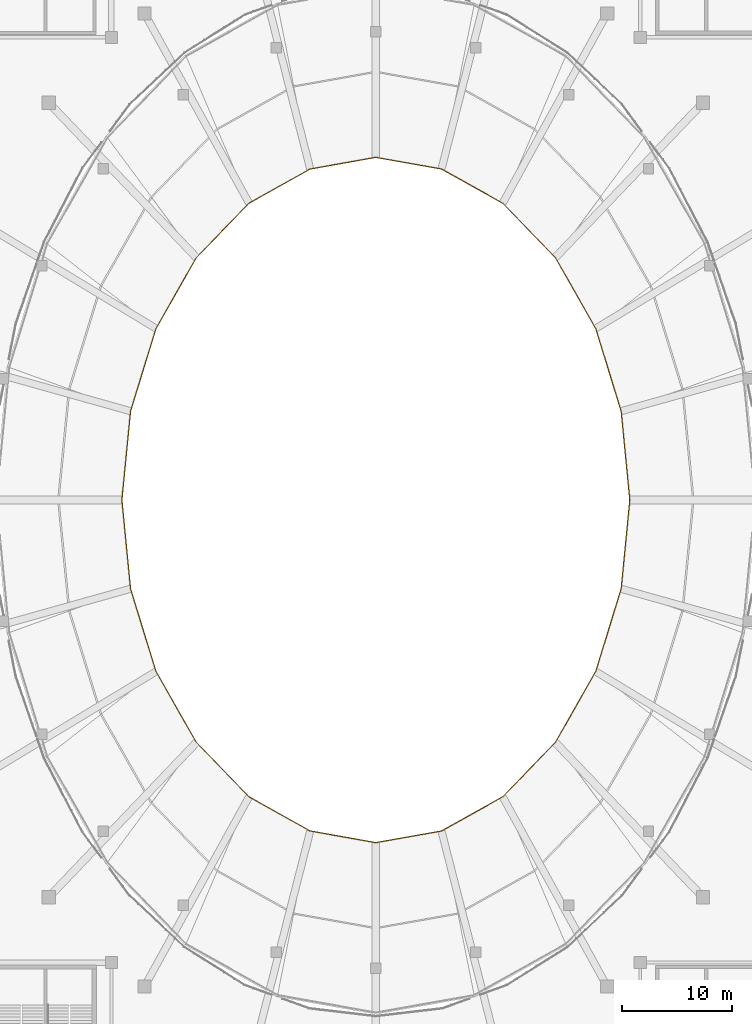
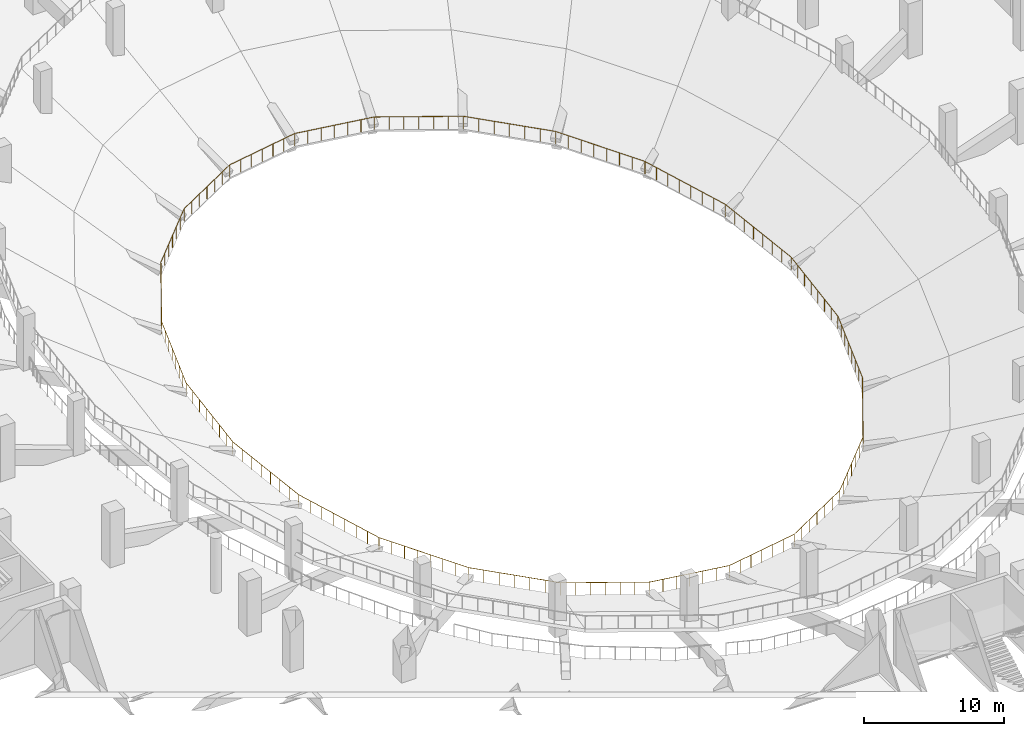
# One storey, part 126 of 136: 1 railing.
"""IFC4 building model written with IfcOpenShell, lengths in metres."""

from ifc_helpers import new_model, si_unit, direction, frame, origin, origin_2d, place, context, subcontext, project, spatial, circle, extrude, material, type_object, element, save


model = new_model("IFC4")

# Units and contexts
model_context = context("Model", 3, precision=1e-05, world=origin(), true_north=direction((0.0, 1.0)))
body_context = subcontext(model_context, "Body", "Model", "MODEL_VIEW")
ifc_project = project(units=[si_unit("LENGTHUNIT", "METRE"), si_unit("AREAUNIT", "SQUARE_METRE"), si_unit("VOLUMEUNIT", "CUBIC_METRE"), si_unit("PLANEANGLEUNIT", "RADIAN"), si_unit("MASSUNIT", "GRAM", prefix="KILO")], contexts=[model_context])

# Site, building, storey
site_placement = place(None, origin())
site = spatial("IfcSite", under=ifc_project, at=site_placement, CompositionType="ELEMENT")
building_placement = place(site_placement, origin())
building = spatial("IfcBuilding", under=site, at=building_placement, Name="Brinegate Civic Arena", CompositionType="ELEMENT")
storey_placement = place(building_placement, frame((0.0, 0.0, 5.39990234375)))
storey = spatial("IfcBuildingStorey", under=building, at=storey_placement, Name="L01", CompositionType="ELEMENT", Elevation=5.39990234375)

# Railing
ifc_material = material(Name="Architectural stainless steel balustrade", Category="steel")
railing_type = type_object("IfcRailingType", Name="RAIL-BOWL-BARRIER-1100", PredefinedType="GUARDRAIL", material=ifc_material)
railing_placement = place(storey_placement, frame((131.050048828125, 62.0, -4.7998046875)))
element("IfcRailing", 1, at=railing_placement, inside=storey, type_object=railing_type, Name="Arena Bowl Sightline Guard LWR-FRONT", PredefinedType="GUARDRAIL", context=body_context, shape_type="SweptSolid", body=[
    extrude(circle(Radius=0.02392578125, at=origin_2d()), frame((-0.000244140625, 0.00146484375, 1.09619140625), z_axis=(-0.097085377147, 0.995276056953, 0.0), x_axis=(-0.995276056953, -0.097085377147, 0.0)), (0.0, 0.0, 1.0), 8.084228515625),
    extrude(circle(Radius=0.02392578125, at=origin_2d()), frame((-0.78564453125, 8.050537109375, 1.09619140625), z_axis=(-0.293502020792, 0.955958452963, 0.0), x_axis=(-0.955958452963, -0.293502020792, 0.0)), (0.0, 0.0, 1.0), 7.843505859375),
    extrude(circle(Radius=0.02392578125, at=origin_2d()), frame((-3.0888671875, 15.55126953125, 1.09619140625), z_axis=(-0.494338839738, 0.869269297472, 0.0), x_axis=(-0.869269297472, -0.494338839738, 0.0)), (0.0, 0.0, 1.0), 7.406494140625),
    extrude(circle(Radius=0.02392578125, at=origin_2d()), frame((-6.751953125, 21.991943359375, 1.09619140625), z_axis=(-0.694779003648, 0.719223286671, 0.0), x_axis=(-0.719223286671, -0.694779003648, 0.0)), (0.0, 0.0, 1.0), 6.868408203125),
    extrude(circle(Radius=0.02392578125, at=origin_2d()), frame((-11.5263671875, 26.933837890625, 1.09619140625), z_axis=(-0.872908427657, 0.487884081443, 0.0), x_axis=(-0.487884081443, -0.872908427657, 0.0)), (0.0, 0.0, 1.0), 6.365234375),
    extrude(circle(Radius=0.02392578125, at=origin_2d()), frame((-17.08544921875, 30.040283203125, 1.09619140625), z_axis=(-0.984578858845, 0.17494133507, 0.0), x_axis=(-0.17494133507, -0.984578858845, 0.0)), (0.0, 0.0, 1.0), 6.056396484375),
    extrude(circle(Radius=0.02392578125, at=origin_2d()), frame((-23.051513671875, 31.099853515625, 1.09619140625), z_axis=(-0.984578858845, -0.17494133507, 0.0), x_axis=(0.17494133507, -0.984578858845, 0.0)), (0.0, 0.0, 1.0), 6.056396484375),
    extrude(circle(Radius=0.02392578125, at=origin_2d()), frame((-29.017333984375, 30.039306640625, 1.09619140625), z_axis=(-0.872908427657, -0.487884081443, 0.0), x_axis=(0.487884081443, -0.872908427657, 0.0)), (0.0, 0.0, 1.0), 6.365234375),
    extrude(circle(Radius=0.02392578125, at=origin_2d()), frame((-34.575927734375, 26.93212890625, 1.09619140625), z_axis=(-0.694779003648, -0.719223286671, 0.0), x_axis=(0.719223286671, -0.694779003648, 0.0)), (0.0, 0.0, 1.0), 6.868408203125),
    extrude(circle(Radius=0.02392578125, at=origin_2d()), frame((-39.349853515625, 21.98974609375, 1.09619140625), z_axis=(-0.494338839738, -0.869269297472, 0.0), x_axis=(0.869269297472, -0.494338839738, 0.0)), (0.0, 0.0, 1.0), 7.406494140625),
    extrude(circle(Radius=0.02392578125, at=origin_2d()), frame((-43.012451171875, 15.548583984375, 1.09619140625), z_axis=(-0.293502020792, -0.955958452963, 0.0), x_axis=(0.955958452963, -0.293502020792, 0.0)), (0.0, 0.0, 1.0), 7.843505859375),
    extrude(circle(Radius=0.02392578125, at=origin_2d()), frame((-45.315185546875, 8.047607421875, 1.09619140625), z_axis=(-0.097085377147, -0.995276056953, 0.0), x_axis=(0.995276056953, -0.097085377147, 0.0)), (0.0, 0.0, 1.0), 8.084228515625),
    extrude(circle(Radius=0.02392578125, at=origin_2d()), frame((-46.099853515625, -0.00146484375, 1.09619140625), z_axis=(0.097085377147, -0.995276056953, 0.0), x_axis=(0.995276056953, 0.097085377147, 0.0)), (0.0, 0.0, 1.0), 8.084228515625),
    extrude(circle(Radius=0.02392578125, at=origin_2d()), frame((-45.314453125, -8.050537109375, 1.09619140625), z_axis=(0.293502020792, -0.955958452963, 0.0), x_axis=(0.955958452963, 0.293502020792, 0.0)), (0.0, 0.0, 1.0), 7.843505859375),
    extrude(circle(Radius=0.02392578125, at=origin_2d()), frame((-43.01123046875, -15.55126953125, 1.09619140625), z_axis=(0.494338839738, -0.869269297472, 0.0), x_axis=(0.869269297472, 0.494338839738, 0.0)), (0.0, 0.0, 1.0), 7.406494140625),
    extrude(circle(Radius=0.02392578125, at=origin_2d()), frame((-39.34814453125, -21.991943359375, 1.09619140625), z_axis=(0.694779003648, -0.719223286671, 0.0), x_axis=(0.719223286671, 0.694779003648, 0.0)), (0.0, 0.0, 1.0), 6.868408203125),
    extrude(circle(Radius=0.02392578125, at=origin_2d()), frame((-34.57373046875, -26.933837890625, 1.09619140625), z_axis=(0.872908427657, -0.487884081443, 0.0), x_axis=(0.487884081443, 0.872908427657, 0.0)), (0.0, 0.0, 1.0), 6.365234375),
    extrude(circle(Radius=0.02392578125, at=origin_2d()), frame((-29.0146484375, -30.040283203125, 1.09619140625), z_axis=(0.984578858845, -0.17494133507, 0.0), x_axis=(0.17494133507, 0.984578858845, 0.0)), (0.0, 0.0, 1.0), 6.056396484375),
    extrude(circle(Radius=0.02392578125, at=origin_2d()), frame((-23.048583984375, -31.099853515625, 1.09619140625), z_axis=(0.984578858845, 0.17494133507, 0.0), x_axis=(-0.17494133507, 0.984578858845, 0.0)), (0.0, 0.0, 1.0), 6.056396484375),
    extrude(circle(Radius=0.02392578125, at=origin_2d()), frame((-17.082763671875, -30.039306640625, 1.09619140625), z_axis=(0.872908427657, 0.487884081443, 0.0), x_axis=(-0.487884081443, 0.872908427657, 0.0)), (0.0, 0.0, 1.0), 6.365234375),
    extrude(circle(Radius=0.02392578125, at=origin_2d()), frame((-11.524169921875, -26.93212890625, 1.09619140625), z_axis=(0.694779003648, 0.719223286671, 0.0), x_axis=(-0.719223286671, 0.694779003648, 0.0)), (0.0, 0.0, 1.0), 6.868408203125),
    extrude(circle(Radius=0.02392578125, at=origin_2d()), frame((-6.750244140625, -21.98974609375, 1.09619140625), z_axis=(0.494338839738, 0.869269297472, 0.0), x_axis=(-0.869269297472, 0.494338839738, 0.0)), (0.0, 0.0, 1.0), 7.406494140625),
    extrude(circle(Radius=0.02392578125, at=origin_2d()), frame((-3.087646484375, -15.548583984375, 1.09619140625), z_axis=(0.293502020792, 0.955958452963, 0.0), x_axis=(-0.955958452963, 0.293502020792, 0.0)), (0.0, 0.0, 1.0), 7.843505859375),
    extrude(circle(Radius=0.02392578125, at=origin_2d()), frame((-0.784912109375, -8.047607421875, 1.09619140625), z_axis=(0.097085377147, 0.995276056953, 0.0), x_axis=(-0.995276056953, 0.097085377147, 0.0)), (0.0, 0.0, 1.0), 8.084228515625),
    extrude(circle(Radius=0.02099609375, at=origin_2d()), origin(), (0.0, 0.0, 1.0), 1.070068359375),
    extrude(circle(Radius=0.02099609375, at=origin_2d()), frame((-0.112060546875, 1.14990234375, 0.0)), (0.0, 0.0, 1.0), 1.070068359375),
    extrude(circle(Radius=0.02099609375, at=origin_2d()), frame((-0.224365234375, 2.2998046875, 0.0)), (0.0, 0.0, 1.0), 1.070068359375),
    extrude(circle(Radius=0.02099609375, at=origin_2d()), frame((-0.33642578125, 3.44970703125, 0.0)), (0.0, 0.0, 1.0), 1.070068359375),
    extrude(circle(Radius=0.02099609375, at=origin_2d()), frame((-0.44873046875, 4.599365234375, 0.0)), (0.0, 0.0, 1.0), 1.070068359375),
    extrude(circle(Radius=0.02099609375, at=origin_2d()), frame((-0.560791015625, 5.749267578125, 0.0)), (0.0, 0.0, 1.0), 1.070068359375),
    extrude(circle(Radius=0.02099609375, at=origin_2d()), frame((-0.673095703125, 6.899169921875, 0.0)), (0.0, 0.0, 1.0), 1.070068359375),
    extrude(circle(Radius=0.02099609375, at=origin_2d()), frame((-0.78515625, 8.049072265625, 0.0)), (0.0, 0.0, 1.0), 1.070068359375),
    extrude(circle(Radius=0.02099609375, at=origin_2d()), frame((-1.1142578125, 9.12060546875, 0.0)), (0.0, 0.0, 1.0), 1.070068359375),
    extrude(circle(Radius=0.02099609375, at=origin_2d()), frame((-1.443115234375, 10.192138671875, 0.0)), (0.0, 0.0, 1.0), 1.070068359375),
    extrude(circle(Radius=0.02099609375, at=origin_2d()), frame((-1.772216796875, 11.263671875, 0.0)), (0.0, 0.0, 1.0), 1.070068359375),
    extrude(circle(Radius=0.02099609375, at=origin_2d()), frame((-2.10107421875, 12.33544921875, 0.0)), (0.0, 0.0, 1.0), 1.070068359375),
    extrude(circle(Radius=0.02099609375, at=origin_2d()), frame((-2.43017578125, 13.406982421875, 0.0)), (0.0, 0.0, 1.0), 1.070068359375),
    extrude(circle(Radius=0.02099609375, at=origin_2d()), frame((-2.759033203125, 14.478515625, 0.0)), (0.0, 0.0, 1.0), 1.070068359375),
    extrude(circle(Radius=0.02099609375, at=origin_2d()), frame((-3.088134765625, 15.550048828125, 0.0)), (0.0, 0.0, 1.0), 1.070068359375),
    extrude(circle(Radius=0.02099609375, at=origin_2d()), frame((-3.611328125, 16.47021484375, 0.0)), (0.0, 0.0, 1.0), 1.070068359375),
    extrude(circle(Radius=0.02099609375, at=origin_2d()), frame((-4.134765625, 17.390380859375, 0.0)), (0.0, 0.0, 1.0), 1.070068359375),
    extrude(circle(Radius=0.02099609375, at=origin_2d()), frame((-4.657958984375, 18.310546875, 0.0)), (0.0, 0.0, 1.0), 1.070068359375),
    extrude(circle(Radius=0.02099609375, at=origin_2d()), frame((-5.18115234375, 19.23046875, 0.0)), (0.0, 0.0, 1.0), 1.070068359375),
    extrude(circle(Radius=0.02099609375, at=origin_2d()), frame((-5.704345703125, 20.150634765625, 0.0)), (0.0, 0.0, 1.0), 1.070068359375),
    extrude(circle(Radius=0.02099609375, at=origin_2d()), frame((-6.227783203125, 21.07080078125, 0.0)), (0.0, 0.0, 1.0), 1.070068359375),
    extrude(circle(Radius=0.02099609375, at=origin_2d()), frame((-6.7509765625, 21.990966796875, 0.0)), (0.0, 0.0, 1.0), 1.070068359375),
    extrude(circle(Radius=0.02099609375, at=origin_2d()), frame((-7.546630859375, 22.814697265625, 0.0)), (0.0, 0.0, 1.0), 1.070068359375),
    extrude(circle(Radius=0.02099609375, at=origin_2d()), frame((-8.34228515625, 23.638427734375, 0.0)), (0.0, 0.0, 1.0), 1.070068359375),
    extrude(circle(Radius=0.02099609375, at=origin_2d()), frame((-9.13818359375, 24.4619140625, 0.0)), (0.0, 0.0, 1.0), 1.070068359375),
    extrude(circle(Radius=0.02099609375, at=origin_2d()), frame((-9.933837890625, 25.28564453125, 0.0)), (0.0, 0.0, 1.0), 1.070068359375),
    extrude(circle(Radius=0.02099609375, at=origin_2d()), frame((-10.7294921875, 26.109375, 0.0)), (0.0, 0.0, 1.0), 1.070068359375),
    extrude(circle(Radius=0.02099609375, at=origin_2d()), frame((-11.525146484375, 26.93310546875, 0.0)), (0.0, 0.0, 1.0), 1.070068359375),
    extrude(circle(Radius=0.02099609375, at=origin_2d()), frame((-12.45166015625, 27.450927734375, 0.0)), (0.0, 0.0, 1.0), 1.070068359375),
    extrude(circle(Radius=0.02099609375, at=origin_2d()), frame((-13.378173828125, 27.96875, 0.0)), (0.0, 0.0, 1.0), 1.070068359375),
    extrude(circle(Radius=0.02099609375, at=origin_2d()), frame((-14.3046875, 28.486572265625, 0.0)), (0.0, 0.0, 1.0), 1.070068359375),
    extrude(circle(Radius=0.02099609375, at=origin_2d()), frame((-15.23095703125, 29.00439453125, 0.0)), (0.0, 0.0, 1.0), 1.070068359375),
    extrude(circle(Radius=0.02099609375, at=origin_2d()), frame((-16.157470703125, 29.522216796875, 0.0)), (0.0, 0.0, 1.0), 1.070068359375),
    extrude(circle(Radius=0.02099609375, at=origin_2d()), frame((-17.083984375, 30.0400390625, 0.0)), (0.0, 0.0, 1.0), 1.070068359375),
    extrude(circle(Radius=0.02099609375, at=origin_2d()), frame((-18.078369140625, 30.216796875, 0.0)), (0.0, 0.0, 1.0), 1.070068359375),
    extrude(circle(Radius=0.02099609375, at=origin_2d()), frame((-19.07275390625, 30.393310546875, 0.0)), (0.0, 0.0, 1.0), 1.070068359375),
    extrude(circle(Radius=0.02099609375, at=origin_2d()), frame((-20.06689453125, 30.570068359375, 0.0)), (0.0, 0.0, 1.0), 1.070068359375),
    extrude(circle(Radius=0.02099609375, at=origin_2d()), frame((-21.061279296875, 30.746826171875, 0.0)), (0.0, 0.0, 1.0), 1.070068359375),
    extrude(circle(Radius=0.02099609375, at=origin_2d()), frame((-22.0556640625, 30.92333984375, 0.0)), (0.0, 0.0, 1.0), 1.070068359375),
    extrude(circle(Radius=0.02099609375, at=origin_2d()), frame((-23.050048828125, 31.10009765625, 0.0)), (0.0, 0.0, 1.0), 1.070068359375),
    extrude(circle(Radius=0.02099609375, at=origin_2d()), frame((-24.04443359375, 30.92333984375, 0.0)), (0.0, 0.0, 1.0), 1.070068359375),
    extrude(circle(Radius=0.02099609375, at=origin_2d()), frame((-25.038818359375, 30.746826171875, 0.0)), (0.0, 0.0, 1.0), 1.070068359375),
    extrude(circle(Radius=0.02099609375, at=origin_2d()), frame((-26.033203125, 30.570068359375, 0.0)), (0.0, 0.0, 1.0), 1.070068359375),
    extrude(circle(Radius=0.02099609375, at=origin_2d()), frame((-27.02734375, 30.393310546875, 0.0)), (0.0, 0.0, 1.0), 1.070068359375),
    extrude(circle(Radius=0.02099609375, at=origin_2d()), frame((-28.021728515625, 30.216796875, 0.0)), (0.0, 0.0, 1.0), 1.070068359375),
    extrude(circle(Radius=0.02099609375, at=origin_2d()), frame((-29.01611328125, 30.0400390625, 0.0)), (0.0, 0.0, 1.0), 1.070068359375),
    extrude(circle(Radius=0.02099609375, at=origin_2d()), frame((-29.942626953125, 29.522216796875, 0.0)), (0.0, 0.0, 1.0), 1.070068359375),
    extrude(circle(Radius=0.02099609375, at=origin_2d()), frame((-30.869140625, 29.00439453125, 0.0)), (0.0, 0.0, 1.0), 1.070068359375),
    extrude(circle(Radius=0.02099609375, at=origin_2d()), frame((-31.79541015625, 28.486572265625, 0.0)), (0.0, 0.0, 1.0), 1.070068359375),
    extrude(circle(Radius=0.02099609375, at=origin_2d()), frame((-32.721923828125, 27.96875, 0.0)), (0.0, 0.0, 1.0), 1.070068359375),
    extrude(circle(Radius=0.02099609375, at=origin_2d()), frame((-33.6484375, 27.450927734375, 0.0)), (0.0, 0.0, 1.0), 1.070068359375),
    extrude(circle(Radius=0.02099609375, at=origin_2d()), frame((-34.574951171875, 26.93310546875, 0.0)), (0.0, 0.0, 1.0), 1.070068359375),
    extrude(circle(Radius=0.02099609375, at=origin_2d()), frame((-35.37060546875, 26.109375, 0.0)), (0.0, 0.0, 1.0), 1.070068359375),
    extrude(circle(Radius=0.02099609375, at=origin_2d()), frame((-36.166259765625, 25.28564453125, 0.0)), (0.0, 0.0, 1.0), 1.070068359375),
    extrude(circle(Radius=0.02099609375, at=origin_2d()), frame((-36.9619140625, 24.4619140625, 0.0)), (0.0, 0.0, 1.0), 1.070068359375),
    extrude(circle(Radius=0.02099609375, at=origin_2d()), frame((-37.7578125, 23.638427734375, 0.0)), (0.0, 0.0, 1.0), 1.070068359375),
    extrude(circle(Radius=0.02099609375, at=origin_2d()), frame((-38.553466796875, 22.814697265625, 0.0)), (0.0, 0.0, 1.0), 1.070068359375),
    extrude(circle(Radius=0.02099609375, at=origin_2d()), frame((-39.34912109375, 21.990966796875, 0.0)), (0.0, 0.0, 1.0), 1.070068359375),
    extrude(circle(Radius=0.02099609375, at=origin_2d()), frame((-39.872314453125, 21.07080078125, 0.0)), (0.0, 0.0, 1.0), 1.070068359375),
    extrude(circle(Radius=0.02099609375, at=origin_2d()), frame((-40.395751953125, 20.150634765625, 0.0)), (0.0, 0.0, 1.0), 1.070068359375),
    extrude(circle(Radius=0.02099609375, at=origin_2d()), frame((-40.9189453125, 19.23046875, 0.0)), (0.0, 0.0, 1.0), 1.070068359375),
    extrude(circle(Radius=0.02099609375, at=origin_2d()), frame((-41.442138671875, 18.310546875, 0.0)), (0.0, 0.0, 1.0), 1.070068359375),
    extrude(circle(Radius=0.02099609375, at=origin_2d()), frame((-41.96533203125, 17.390380859375, 0.0)), (0.0, 0.0, 1.0), 1.070068359375),
    extrude(circle(Radius=0.02099609375, at=origin_2d()), frame((-42.48876953125, 16.47021484375, 0.0)), (0.0, 0.0, 1.0), 1.070068359375),
    extrude(circle(Radius=0.02099609375, at=origin_2d()), frame((-43.011962890625, 15.550048828125, 0.0)), (0.0, 0.0, 1.0), 1.070068359375),
    extrude(circle(Radius=0.02099609375, at=origin_2d()), frame((-43.341064453125, 14.478515625, 0.0)), (0.0, 0.0, 1.0), 1.070068359375),
    extrude(circle(Radius=0.02099609375, at=origin_2d()), frame((-43.669921875, 13.406982421875, 0.0)), (0.0, 0.0, 1.0), 1.070068359375),
    extrude(circle(Radius=0.02099609375, at=origin_2d()), frame((-43.9990234375, 12.33544921875, 0.0)), (0.0, 0.0, 1.0), 1.070068359375),
    extrude(circle(Radius=0.02099609375, at=origin_2d()), frame((-44.327880859375, 11.263671875, 0.0)), (0.0, 0.0, 1.0), 1.070068359375),
    extrude(circle(Radius=0.02099609375, at=origin_2d()), frame((-44.656982421875, 10.192138671875, 0.0)), (0.0, 0.0, 1.0), 1.070068359375),
    extrude(circle(Radius=0.02099609375, at=origin_2d()), frame((-44.98583984375, 9.12060546875, 0.0)), (0.0, 0.0, 1.0), 1.070068359375),
    extrude(circle(Radius=0.02099609375, at=origin_2d()), frame((-45.31494140625, 8.049072265625, 0.0)), (0.0, 0.0, 1.0), 1.070068359375),
    extrude(circle(Radius=0.02099609375, at=origin_2d()), frame((-45.427001953125, 6.899169921875, 0.0)), (0.0, 0.0, 1.0), 1.070068359375),
    extrude(circle(Radius=0.02099609375, at=origin_2d()), frame((-45.539306640625, 5.749267578125, 0.0)), (0.0, 0.0, 1.0), 1.070068359375),
    extrude(circle(Radius=0.02099609375, at=origin_2d()), frame((-45.6513671875, 4.599365234375, 0.0)), (0.0, 0.0, 1.0), 1.070068359375),
    extrude(circle(Radius=0.02099609375, at=origin_2d()), frame((-45.763671875, 3.44970703125, 0.0)), (0.0, 0.0, 1.0), 1.070068359375),
    extrude(circle(Radius=0.02099609375, at=origin_2d()), frame((-45.875732421875, 2.2998046875, 0.0)), (0.0, 0.0, 1.0), 1.070068359375),
    extrude(circle(Radius=0.02099609375, at=origin_2d()), frame((-45.988037109375, 1.14990234375, 0.0)), (0.0, 0.0, 1.0), 1.070068359375),
    extrude(circle(Radius=0.02099609375, at=origin_2d()), frame((-46.10009765625, 0.0, 0.0)), (0.0, 0.0, 1.0), 1.070068359375),
    extrude(circle(Radius=0.02099609375, at=origin_2d()), frame((-45.988037109375, -1.14990234375, 0.0)), (0.0, 0.0, 1.0), 1.070068359375),
    extrude(circle(Radius=0.02099609375, at=origin_2d()), frame((-45.875732421875, -2.2998046875, 0.0)), (0.0, 0.0, 1.0), 1.070068359375),
    extrude(circle(Radius=0.02099609375, at=origin_2d()), frame((-45.763671875, -3.44970703125, 0.0)), (0.0, 0.0, 1.0), 1.070068359375),
    extrude(circle(Radius=0.02099609375, at=origin_2d()), frame((-45.6513671875, -4.599365234375, 0.0)), (0.0, 0.0, 1.0), 1.070068359375),
    extrude(circle(Radius=0.02099609375, at=origin_2d()), frame((-45.539306640625, -5.749267578125, 0.0)), (0.0, 0.0, 1.0), 1.070068359375),
    extrude(circle(Radius=0.02099609375, at=origin_2d()), frame((-45.427001953125, -6.899169921875, 0.0)), (0.0, 0.0, 1.0), 1.070068359375),
    extrude(circle(Radius=0.02099609375, at=origin_2d()), frame((-45.31494140625, -8.049072265625, 0.0)), (0.0, 0.0, 1.0), 1.070068359375),
    extrude(circle(Radius=0.02099609375, at=origin_2d()), frame((-44.98583984375, -9.12060546875, 0.0)), (0.0, 0.0, 1.0), 1.070068359375),
    extrude(circle(Radius=0.02099609375, at=origin_2d()), frame((-44.656982421875, -10.192138671875, 0.0)), (0.0, 0.0, 1.0), 1.070068359375),
    extrude(circle(Radius=0.02099609375, at=origin_2d()), frame((-44.327880859375, -11.263671875, 0.0)), (0.0, 0.0, 1.0), 1.070068359375),
    extrude(circle(Radius=0.02099609375, at=origin_2d()), frame((-43.9990234375, -12.33544921875, 0.0)), (0.0, 0.0, 1.0), 1.070068359375),
    extrude(circle(Radius=0.02099609375, at=origin_2d()), frame((-43.669921875, -13.406982421875, 0.0)), (0.0, 0.0, 1.0), 1.070068359375),
    extrude(circle(Radius=0.02099609375, at=origin_2d()), frame((-43.341064453125, -14.478515625, 0.0)), (0.0, 0.0, 1.0), 1.070068359375),
    extrude(circle(Radius=0.02099609375, at=origin_2d()), frame((-43.011962890625, -15.550048828125, 0.0)), (0.0, 0.0, 1.0), 1.070068359375),
    extrude(circle(Radius=0.02099609375, at=origin_2d()), frame((-42.48876953125, -16.47021484375, 0.0)), (0.0, 0.0, 1.0), 1.070068359375),
    extrude(circle(Radius=0.02099609375, at=origin_2d()), frame((-41.96533203125, -17.390380859375, 0.0)), (0.0, 0.0, 1.0), 1.070068359375),
    extrude(circle(Radius=0.02099609375, at=origin_2d()), frame((-41.442138671875, -18.310546875, 0.0)), (0.0, 0.0, 1.0), 1.070068359375),
    extrude(circle(Radius=0.02099609375, at=origin_2d()), frame((-40.9189453125, -19.23046875, 0.0)), (0.0, 0.0, 1.0), 1.070068359375),
    extrude(circle(Radius=0.02099609375, at=origin_2d()), frame((-40.395751953125, -20.150634765625, 0.0)), (0.0, 0.0, 1.0), 1.070068359375),
    extrude(circle(Radius=0.02099609375, at=origin_2d()), frame((-39.872314453125, -21.07080078125, 0.0)), (0.0, 0.0, 1.0), 1.070068359375),
    extrude(circle(Radius=0.02099609375, at=origin_2d()), frame((-39.34912109375, -21.990966796875, 0.0)), (0.0, 0.0, 1.0), 1.070068359375),
    extrude(circle(Radius=0.02099609375, at=origin_2d()), frame((-38.553466796875, -22.814697265625, 0.0)), (0.0, 0.0, 1.0), 1.070068359375),
    extrude(circle(Radius=0.02099609375, at=origin_2d()), frame((-37.7578125, -23.638427734375, 0.0)), (0.0, 0.0, 1.0), 1.070068359375),
    extrude(circle(Radius=0.02099609375, at=origin_2d()), frame((-36.9619140625, -24.4619140625, 0.0)), (0.0, 0.0, 1.0), 1.070068359375),
    extrude(circle(Radius=0.02099609375, at=origin_2d()), frame((-36.166259765625, -25.28564453125, 0.0)), (0.0, 0.0, 1.0), 1.070068359375),
    extrude(circle(Radius=0.02099609375, at=origin_2d()), frame((-35.37060546875, -26.109375, 0.0)), (0.0, 0.0, 1.0), 1.070068359375),
    extrude(circle(Radius=0.02099609375, at=origin_2d()), frame((-34.574951171875, -26.93310546875, 0.0)), (0.0, 0.0, 1.0), 1.070068359375),
    extrude(circle(Radius=0.02099609375, at=origin_2d()), frame((-33.6484375, -27.450927734375, 0.0)), (0.0, 0.0, 1.0), 1.070068359375),
    extrude(circle(Radius=0.02099609375, at=origin_2d()), frame((-32.721923828125, -27.96875, 0.0)), (0.0, 0.0, 1.0), 1.070068359375),
    extrude(circle(Radius=0.02099609375, at=origin_2d()), frame((-31.79541015625, -28.486572265625, 0.0)), (0.0, 0.0, 1.0), 1.070068359375),
    extrude(circle(Radius=0.02099609375, at=origin_2d()), frame((-30.869140625, -29.00439453125, 0.0)), (0.0, 0.0, 1.0), 1.070068359375),
    extrude(circle(Radius=0.02099609375, at=origin_2d()), frame((-29.942626953125, -29.522216796875, 0.0)), (0.0, 0.0, 1.0), 1.070068359375),
    extrude(circle(Radius=0.02099609375, at=origin_2d()), frame((-29.01611328125, -30.0400390625, 0.0)), (0.0, 0.0, 1.0), 1.070068359375),
    extrude(circle(Radius=0.02099609375, at=origin_2d()), frame((-28.021728515625, -30.216796875, 0.0)), (0.0, 0.0, 1.0), 1.070068359375),
    extrude(circle(Radius=0.02099609375, at=origin_2d()), frame((-27.02734375, -30.393310546875, 0.0)), (0.0, 0.0, 1.0), 1.070068359375),
    extrude(circle(Radius=0.02099609375, at=origin_2d()), frame((-26.033203125, -30.570068359375, 0.0)), (0.0, 0.0, 1.0), 1.070068359375),
    extrude(circle(Radius=0.02099609375, at=origin_2d()), frame((-25.038818359375, -30.746826171875, 0.0)), (0.0, 0.0, 1.0), 1.070068359375),
    extrude(circle(Radius=0.02099609375, at=origin_2d()), frame((-24.04443359375, -30.92333984375, 0.0)), (0.0, 0.0, 1.0), 1.070068359375),
    extrude(circle(Radius=0.02099609375, at=origin_2d()), frame((-23.050048828125, -31.10009765625, 0.0)), (0.0, 0.0, 1.0), 1.070068359375),
    extrude(circle(Radius=0.02099609375, at=origin_2d()), frame((-22.0556640625, -30.92333984375, 0.0)), (0.0, 0.0, 1.0), 1.070068359375),
    extrude(circle(Radius=0.02099609375, at=origin_2d()), frame((-21.061279296875, -30.746826171875, 0.0)), (0.0, 0.0, 1.0), 1.070068359375),
    extrude(circle(Radius=0.02099609375, at=origin_2d()), frame((-20.06689453125, -30.570068359375, 0.0)), (0.0, 0.0, 1.0), 1.070068359375),
    extrude(circle(Radius=0.02099609375, at=origin_2d()), frame((-19.07275390625, -30.393310546875, 0.0)), (0.0, 0.0, 1.0), 1.070068359375),
    extrude(circle(Radius=0.02099609375, at=origin_2d()), frame((-18.078369140625, -30.216796875, 0.0)), (0.0, 0.0, 1.0), 1.070068359375),
    extrude(circle(Radius=0.02099609375, at=origin_2d()), frame((-17.083984375, -30.0400390625, 0.0)), (0.0, 0.0, 1.0), 1.070068359375),
    extrude(circle(Radius=0.02099609375, at=origin_2d()), frame((-16.157470703125, -29.522216796875, 0.0)), (0.0, 0.0, 1.0), 1.070068359375),
    extrude(circle(Radius=0.02099609375, at=origin_2d()), frame((-15.23095703125, -29.00439453125, 0.0)), (0.0, 0.0, 1.0), 1.070068359375),
    extrude(circle(Radius=0.02099609375, at=origin_2d()), frame((-14.3046875, -28.486572265625, 0.0)), (0.0, 0.0, 1.0), 1.070068359375),
    extrude(circle(Radius=0.02099609375, at=origin_2d()), frame((-13.378173828125, -27.96875, 0.0)), (0.0, 0.0, 1.0), 1.070068359375),
    extrude(circle(Radius=0.02099609375, at=origin_2d()), frame((-12.45166015625, -27.450927734375, 0.0)), (0.0, 0.0, 1.0), 1.070068359375),
    extrude(circle(Radius=0.02099609375, at=origin_2d()), frame((-11.525146484375, -26.93310546875, 0.0)), (0.0, 0.0, 1.0), 1.070068359375),
    extrude(circle(Radius=0.02099609375, at=origin_2d()), frame((-10.7294921875, -26.109375, 0.0)), (0.0, 0.0, 1.0), 1.070068359375),
    extrude(circle(Radius=0.02099609375, at=origin_2d()), frame((-9.933837890625, -25.28564453125, 0.0)), (0.0, 0.0, 1.0), 1.070068359375),
    extrude(circle(Radius=0.02099609375, at=origin_2d()), frame((-9.13818359375, -24.4619140625, 0.0)), (0.0, 0.0, 1.0), 1.070068359375),
    extrude(circle(Radius=0.02099609375, at=origin_2d()), frame((-8.34228515625, -23.638427734375, 0.0)), (0.0, 0.0, 1.0), 1.070068359375),
    extrude(circle(Radius=0.02099609375, at=origin_2d()), frame((-7.546630859375, -22.814697265625, 0.0)), (0.0, 0.0, 1.0), 1.070068359375),
    extrude(circle(Radius=0.02099609375, at=origin_2d()), frame((-6.7509765625, -21.990966796875, 0.0)), (0.0, 0.0, 1.0), 1.070068359375),
    extrude(circle(Radius=0.02099609375, at=origin_2d()), frame((-6.227783203125, -21.07080078125, 0.0)), (0.0, 0.0, 1.0), 1.070068359375),
    extrude(circle(Radius=0.02099609375, at=origin_2d()), frame((-5.704345703125, -20.150634765625, 0.0)), (0.0, 0.0, 1.0), 1.070068359375),
    extrude(circle(Radius=0.02099609375, at=origin_2d()), frame((-5.18115234375, -19.23046875, 0.0)), (0.0, 0.0, 1.0), 1.070068359375),
    extrude(circle(Radius=0.02099609375, at=origin_2d()), frame((-4.657958984375, -18.310546875, 0.0)), (0.0, 0.0, 1.0), 1.070068359375),
    extrude(circle(Radius=0.02099609375, at=origin_2d()), frame((-4.134765625, -17.390380859375, 0.0)), (0.0, 0.0, 1.0), 1.070068359375),
    extrude(circle(Radius=0.02099609375, at=origin_2d()), frame((-3.611328125, -16.47021484375, 0.0)), (0.0, 0.0, 1.0), 1.070068359375),
    extrude(circle(Radius=0.02099609375, at=origin_2d()), frame((-3.088134765625, -15.550048828125, 0.0)), (0.0, 0.0, 1.0), 1.070068359375),
    extrude(circle(Radius=0.02099609375, at=origin_2d()), frame((-2.759033203125, -14.478515625, 0.0)), (0.0, 0.0, 1.0), 1.070068359375),
    extrude(circle(Radius=0.02099609375, at=origin_2d()), frame((-2.43017578125, -13.406982421875, 0.0)), (0.0, 0.0, 1.0), 1.070068359375),
    extrude(circle(Radius=0.02099609375, at=origin_2d()), frame((-2.10107421875, -12.33544921875, 0.0)), (0.0, 0.0, 1.0), 1.070068359375),
    extrude(circle(Radius=0.02099609375, at=origin_2d()), frame((-1.772216796875, -11.263671875, 0.0)), (0.0, 0.0, 1.0), 1.070068359375),
    extrude(circle(Radius=0.02099609375, at=origin_2d()), frame((-1.443115234375, -10.192138671875, 0.0)), (0.0, 0.0, 1.0), 1.070068359375),
    extrude(circle(Radius=0.02099609375, at=origin_2d()), frame((-1.1142578125, -9.12060546875, 0.0)), (0.0, 0.0, 1.0), 1.070068359375),
    extrude(circle(Radius=0.02099609375, at=origin_2d()), frame((-0.78515625, -8.049072265625, 0.0)), (0.0, 0.0, 1.0), 1.070068359375),
    extrude(circle(Radius=0.02099609375, at=origin_2d()), frame((-0.673095703125, -6.899169921875, 0.0)), (0.0, 0.0, 1.0), 1.070068359375),
    extrude(circle(Radius=0.02099609375, at=origin_2d()), frame((-0.560791015625, -5.749267578125, 0.0)), (0.0, 0.0, 1.0), 1.070068359375),
    extrude(circle(Radius=0.02099609375, at=origin_2d()), frame((-0.44873046875, -4.599365234375, 0.0)), (0.0, 0.0, 1.0), 1.070068359375),
    extrude(circle(Radius=0.02099609375, at=origin_2d()), frame((-0.33642578125, -3.44970703125, 0.0)), (0.0, 0.0, 1.0), 1.070068359375),
    extrude(circle(Radius=0.02099609375, at=origin_2d()), frame((-0.224365234375, -2.2998046875, 0.0)), (0.0, 0.0, 1.0), 1.070068359375),
    extrude(circle(Radius=0.02099609375, at=origin_2d()), frame((-0.112060546875, -1.14990234375, 0.0)), (0.0, 0.0, 1.0), 1.070068359375),
])

save(model, "model.ifc")
